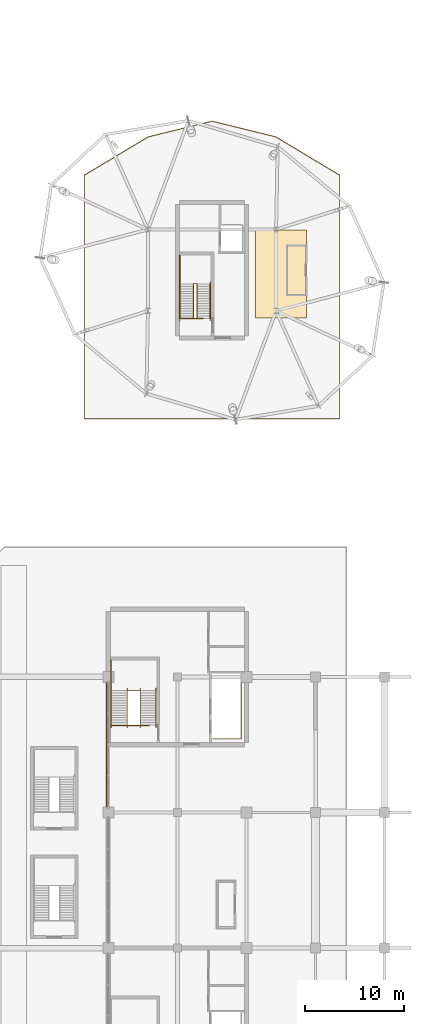
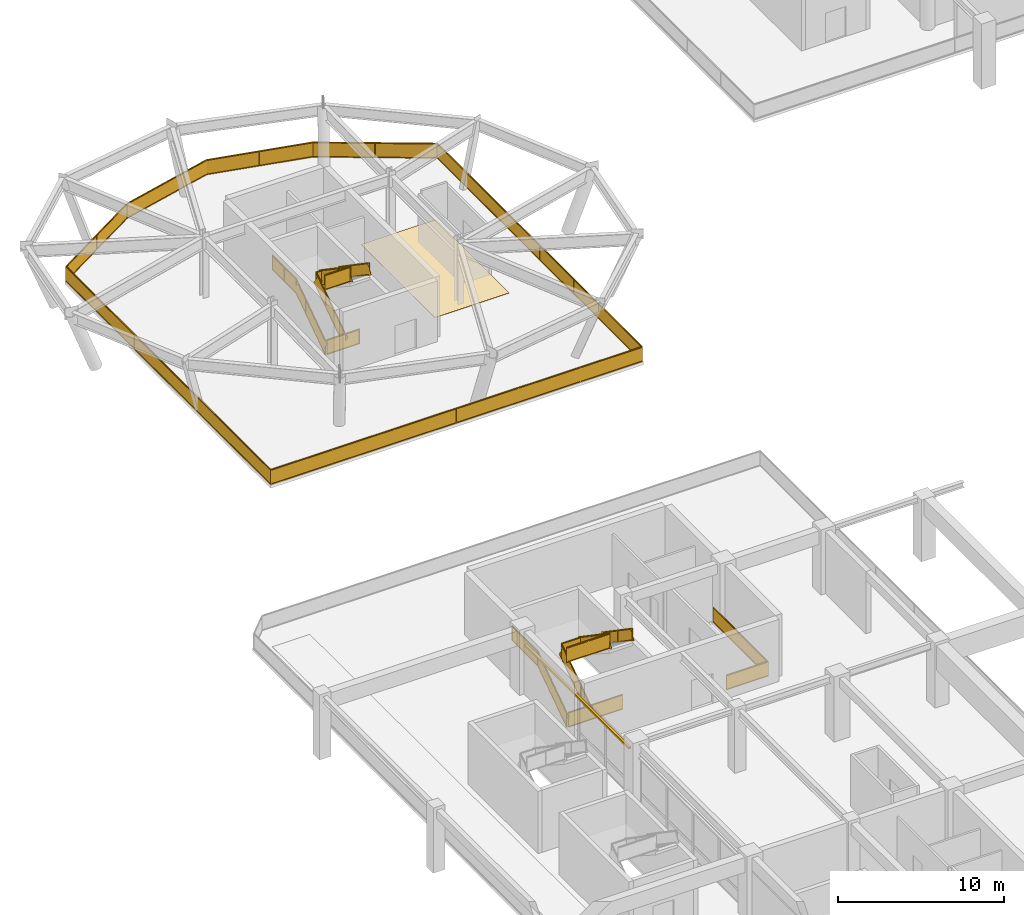
# One storey, part 87 of 91: 10 railings, 1 covering, 1 shading device.
"""IFC4 building model written with IfcOpenShell, lengths in metres."""

from ifc_helpers import new_model, si_unit, direction, frame, origin, origin_2d, place, context, subcontext, project, spatial, polyline, rectangle, outline, extrude, material, layer, layer_set, type_object, element, save


model = new_model("IFC4")

# Units and contexts
model_context = context("Model", 3, precision=1e-05, world=origin(), true_north=direction((0.0, 1.0)))
body_context = subcontext(model_context, "Body", "Model", "MODEL_VIEW")
ifc_project = project(units=[si_unit("LENGTHUNIT", "METRE"), si_unit("AREAUNIT", "SQUARE_METRE"), si_unit("VOLUMEUNIT", "CUBIC_METRE"), si_unit("PLANEANGLEUNIT", "RADIAN"), si_unit("MASSUNIT", "GRAM", prefix="KILO")], contexts=[model_context])

# Site, building, storey
site_placement = place(None, origin())
site = spatial("IfcSite", under=ifc_project, at=site_placement, CompositionType="ELEMENT")
building_placement = place(site_placement, origin())
building = spatial("IfcBuilding", under=site, at=building_placement, Name="Linyun Crest Stadium", CompositionType="ELEMENT")
storey_placement = place(building_placement, frame((0.0, 0.0, 11.39990234375)))
storey = spatial("IfcBuildingStorey", under=building, at=storey_placement, Name="L03", CompositionType="ELEMENT", Elevation=11.39990234375)

# Covering
ifc_material_1 = material(Name="Terrazzo concourse and hospitality floor finish")
ifc_layer_1 = layer(ifc_material_1, 0.02197265625)
ifc_layer_set_1 = layer_set([ifc_layer_1], Name="Terrazzo concourse and hospitality floor finish")
covering_type = type_object("IfcCoveringType", Name="FLR02", PredefinedType="FLOORING", material=ifc_layer_set_1)
covering_placement = place(storey_placement, origin())
element("IfcCovering", 1, at=covering_placement, inside=storey, type_object=covering_type, Name="Terrazzo flooring FLR02 72", PredefinedType="FLOORING", context=body_context, shape_type="SweptSolid", body=[
    extrude(outline(polyline([(-69.10009765625, 79.800048828125), (-63.89990234375, 79.800048828125), (-63.89990234375, 88.699951171875), (-69.10009765625, 88.699951171875), (-69.10009765625, 79.800048828125)])), origin(), (0.0, 0.0, 1.0), 0.022216796875),
])

# Railings
ifc_material_2 = material(Name="Galvanized and powder-coated steel bowl safety barrier", Category="steel")
railing_type_1 = type_object("IfcRailingType", Name="GR02", PredefinedType="GUARDRAIL", material=ifc_material_2)
railing_1_placement = place(storey_placement, frame((-73.419921875, 37.090087890625, 0.0)))
element("IfcRailing", 2, at=railing_1_placement, inside=storey, type_object=railing_type_1, Name="Slab edge balustrade GR02 46", PredefinedType="GUARDRAIL", context=body_context, shape_type="SweptSolid", body=[
    extrude(rectangle(XDim=0.06005859375, YDim=0.06005859375, at=origin_2d()), frame((0.0, 0.0, 1.090087890625), z_axis=(1.0, 0.0, 0.0), x_axis=(0.0, 1.0, 0.0)), (0.0, 0.0, 1.0), 2.8798828125),
    extrude(rectangle(XDim=0.030029296875, YDim=1.0, at=origin_2d()), frame((0.0, 0.0, 0.56005859375), z_axis=(1.0, 0.0, 0.0), x_axis=(0.0, 1.0, 0.0)), (0.0, 0.0, 1.0), 2.8798828125),
    extrude(rectangle(XDim=0.06005859375, YDim=0.06005859375, at=origin_2d()), frame((0.0, 0.0, 0.030029296875), z_axis=(1.0, 0.0, 0.0), x_axis=(0.0, 1.0, 0.0)), (0.0, 0.0, 1.0), 2.8798828125),
    extrude(rectangle(XDim=0.06005859375, YDim=0.06005859375, at=origin_2d()), frame((2.8798828125, 0.0, 1.090087890625), z_axis=(0.0, 1.0, 0.0), x_axis=(-1.0, 0.0, 0.0)), (0.0, 0.0, 1.0), 6.5498046875),
    extrude(rectangle(XDim=0.030029296875, YDim=1.0, at=origin_2d()), frame((2.8798828125, 0.0, 0.56005859375), z_axis=(0.0, 1.0, 0.0), x_axis=(-1.0, 0.0, 0.0)), (0.0, 0.0, 1.0), 6.5498046875),
    extrude(rectangle(XDim=0.06005859375, YDim=0.06005859375, at=origin_2d()), frame((2.8798828125, 0.0, 0.030029296875), z_axis=(0.0, 1.0, 0.0), x_axis=(-1.0, 0.0, 0.0)), (0.0, 0.0, 1.0), 6.5498046875),
    extrude(rectangle(XDim=0.050048828125, YDim=0.050048828125, at=origin_2d()), origin(), (0.0, 0.0, 1.0), 1.1201171875),
    extrude(rectangle(XDim=0.050048828125, YDim=0.050048828125, at=origin_2d()), frame((2.8798828125, 0.0, 0.0)), (0.0, 0.0, 1.0), 1.1201171875),
    extrude(rectangle(XDim=0.050048828125, YDim=0.050048828125, at=origin_2d()), frame((2.8798828125, 3.27490234375, 0.0)), (0.0, 0.0, 1.0), 1.1201171875),
    extrude(rectangle(XDim=0.050048828125, YDim=0.050048828125, at=origin_2d()), frame((2.8798828125, 6.5498046875, 0.0)), (0.0, 0.0, 1.0), 1.1201171875),
])
railing_2_placement = place(storey_placement, frame((-83.635009765625, 38.4599609375, 0.0)))
element("IfcRailing", 3, at=railing_2_placement, inside=storey, type_object=railing_type_1, Name="Slab edge balustrade GR02 48", PredefinedType="GUARDRAIL", context=body_context, shape_type="SweptSolid", body=[
    extrude(rectangle(XDim=0.06005859375, YDim=0.06005859375, at=origin_2d()), frame((0.0, 0.0, 1.090087890625), z_axis=(1.0, 0.0, 0.0), x_axis=(0.0, 1.0, 0.0)), (0.0, 0.0, 1.0), 3.735107421875),
    extrude(rectangle(XDim=0.030029296875, YDim=1.0, at=origin_2d()), frame((0.0, 0.0, 0.56005859375), z_axis=(1.0, 0.0, 0.0), x_axis=(0.0, 1.0, 0.0)), (0.0, 0.0, 1.0), 3.735107421875),
    extrude(rectangle(XDim=0.06005859375, YDim=0.06005859375, at=origin_2d()), frame((0.0, 0.0, 0.030029296875), z_axis=(1.0, 0.0, 0.0), x_axis=(0.0, 1.0, 0.0)), (0.0, 0.0, 1.0), 3.735107421875),
    extrude(rectangle(XDim=0.050048828125, YDim=0.050048828125, at=origin_2d()), origin(), (0.0, 0.0, 1.0), 1.1201171875),
    extrude(rectangle(XDim=0.050048828125, YDim=0.050048828125, at=origin_2d()), frame((3.735107421875, 0.0, 0.0)), (0.0, 0.0, 1.0), 1.1201171875),
])
railing_3_placement = place(storey_placement, frame((-86.43994140625, 69.56005859375, 0.0)))
element("IfcRailing", 4, at=railing_3_placement, inside=storey, type_object=railing_type_1, Name="Slab edge balustrade GR02 283", PredefinedType="GUARDRAIL", context=body_context, shape_type="SweptSolid", body=[
    extrude(rectangle(XDim=0.06005859375, YDim=0.06005859375, at=origin_2d()), frame((0.0, 0.0, 1.090087890625), z_axis=(0.0, 1.0, 0.0), x_axis=(-1.0, 0.0, 0.0)), (0.0, 0.0, 1.0), 24.7060546875),
    extrude(rectangle(XDim=0.030029296875, YDim=1.0, at=origin_2d()), frame((0.0, 0.0, 0.56005859375), z_axis=(0.0, 1.0, 0.0), x_axis=(-1.0, 0.0, 0.0)), (0.0, 0.0, 1.0), 24.7060546875),
    extrude(rectangle(XDim=0.06005859375, YDim=0.06005859375, at=origin_2d()), frame((0.0, 0.0, 0.030029296875), z_axis=(0.0, 1.0, 0.0), x_axis=(-1.0, 0.0, 0.0)), (0.0, 0.0, 1.0), 24.7060546875),
    extrude(rectangle(XDim=0.06005859375, YDim=0.06005859375, at=origin_2d()), frame((0.0, 24.7060546875, 1.090087890625), z_axis=(0.857481493024, 0.514514809429, 0.0), x_axis=(-0.514514809429, 0.857481493024, 0.0)), (0.0, 0.0, 1.0), 7.537109375),
    extrude(rectangle(XDim=0.030029296875, YDim=1.0, at=origin_2d()), frame((0.0, 24.7060546875, 0.56005859375), z_axis=(0.857481493024, 0.514514809429, 0.0), x_axis=(-0.514514809429, 0.857481493024, 0.0)), (0.0, 0.0, 1.0), 7.537109375),
    extrude(rectangle(XDim=0.06005859375, YDim=0.06005859375, at=origin_2d()), frame((0.0, 24.7060546875, 0.030029296875), z_axis=(0.857481493024, 0.514514809429, 0.0), x_axis=(-0.514514809429, 0.857481493024, 0.0)), (0.0, 0.0, 1.0), 7.537109375),
    extrude(rectangle(XDim=0.06005859375, YDim=0.06005859375, at=origin_2d()), frame((6.462890625, 28.583984375, 1.090087890625), z_axis=(0.971027293085, 0.238968608992, 0.0), x_axis=(-0.238968608992, 0.971027293085, 0.0)), (0.0, 0.0, 1.0), 6.67041015625),
    extrude(rectangle(XDim=0.030029296875, YDim=1.0, at=origin_2d()), frame((6.462890625, 28.583984375, 0.56005859375), z_axis=(0.971027293085, 0.238968608992, 0.0), x_axis=(-0.238968608992, 0.971027293085, 0.0)), (0.0, 0.0, 1.0), 6.67041015625),
    extrude(rectangle(XDim=0.06005859375, YDim=0.06005859375, at=origin_2d()), frame((6.462890625, 28.583984375, 0.030029296875), z_axis=(0.971027293085, 0.238968608992, 0.0), x_axis=(-0.238968608992, 0.971027293085, 0.0)), (0.0, 0.0, 1.0), 6.67041015625),
    extrude(rectangle(XDim=0.06005859375, YDim=0.06005859375, at=origin_2d()), frame((12.93994140625, 30.177978515625, 1.090087890625), z_axis=(0.971027293085, -0.238968608992, 0.0), x_axis=(0.238968608992, 0.971027293085, 0.0)), (0.0, 0.0, 1.0), 6.67041015625),
    extrude(rectangle(XDim=0.030029296875, YDim=1.0, at=origin_2d()), frame((12.93994140625, 30.177978515625, 0.56005859375), z_axis=(0.971027293085, -0.238968608992, 0.0), x_axis=(0.238968608992, 0.971027293085, 0.0)), (0.0, 0.0, 1.0), 6.67041015625),
    extrude(rectangle(XDim=0.06005859375, YDim=0.06005859375, at=origin_2d()), frame((12.93994140625, 30.177978515625, 0.030029296875), z_axis=(0.971027293085, -0.238968608992, 0.0), x_axis=(0.238968608992, 0.971027293085, 0.0)), (0.0, 0.0, 1.0), 6.67041015625),
    extrude(rectangle(XDim=0.06005859375, YDim=0.06005859375, at=origin_2d()), frame((19.4169921875, 28.583984375, 1.090087890625), z_axis=(0.857481493024, -0.514514809429, 0.0), x_axis=(0.514514809429, 0.857481493024, 0.0)), (0.0, 0.0, 1.0), 7.537109375),
    extrude(rectangle(XDim=0.030029296875, YDim=1.0, at=origin_2d()), frame((19.4169921875, 28.583984375, 0.56005859375), z_axis=(0.857481493024, -0.514514809429, 0.0), x_axis=(0.514514809429, 0.857481493024, 0.0)), (0.0, 0.0, 1.0), 7.537109375),
    extrude(rectangle(XDim=0.06005859375, YDim=0.06005859375, at=origin_2d()), frame((19.4169921875, 28.583984375, 0.030029296875), z_axis=(0.857481493024, -0.514514809429, 0.0), x_axis=(0.514514809429, 0.857481493024, 0.0)), (0.0, 0.0, 1.0), 7.537109375),
    extrude(rectangle(XDim=0.06005859375, YDim=0.06005859375, at=origin_2d()), frame((25.8798828125, 24.7060546875, 1.090087890625), z_axis=(0.0, -1.0, 0.0), x_axis=(1.0, 0.0, 0.0)), (0.0, 0.0, 1.0), 24.7060546875),
    extrude(rectangle(XDim=0.030029296875, YDim=1.0, at=origin_2d()), frame((25.8798828125, 24.7060546875, 0.56005859375), z_axis=(0.0, -1.0, 0.0), x_axis=(1.0, 0.0, 0.0)), (0.0, 0.0, 1.0), 24.7060546875),
    extrude(rectangle(XDim=0.06005859375, YDim=0.06005859375, at=origin_2d()), frame((25.8798828125, 24.7060546875, 0.030029296875), z_axis=(0.0, -1.0, 0.0), x_axis=(1.0, 0.0, 0.0)), (0.0, 0.0, 1.0), 24.7060546875),
    extrude(rectangle(XDim=0.06005859375, YDim=0.06005859375, at=origin_2d()), frame((25.8798828125, 0.0, 1.090087890625), z_axis=(-1.0, 0.0, 0.0), x_axis=(0.0, -1.0, 0.0)), (0.0, 0.0, 1.0), 25.8798828125),
    extrude(rectangle(XDim=0.030029296875, YDim=1.0, at=origin_2d()), frame((25.8798828125, 0.0, 0.56005859375), z_axis=(-1.0, 0.0, 0.0), x_axis=(0.0, -1.0, 0.0)), (0.0, 0.0, 1.0), 25.8798828125),
    extrude(rectangle(XDim=0.06005859375, YDim=0.06005859375, at=origin_2d()), frame((25.8798828125, 0.0, 0.030029296875), z_axis=(-1.0, 0.0, 0.0), x_axis=(0.0, -1.0, 0.0)), (0.0, 0.0, 1.0), 25.8798828125),
    extrude(rectangle(XDim=0.050048828125, YDim=0.050048828125, at=origin_2d()), origin(), (0.0, 0.0, 1.0), 1.1201171875),
    extrude(rectangle(XDim=0.050048828125, YDim=0.050048828125, at=origin_2d()), frame((0.0, 4.11767578125, 0.0)), (0.0, 0.0, 1.0), 1.1201171875),
    extrude(rectangle(XDim=0.050048828125, YDim=0.050048828125, at=origin_2d()), frame((0.0, 8.2353515625, 0.0)), (0.0, 0.0, 1.0), 1.1201171875),
    extrude(rectangle(XDim=0.050048828125, YDim=0.050048828125, at=origin_2d()), frame((0.0, 12.35302734375, 0.0)), (0.0, 0.0, 1.0), 1.1201171875),
    extrude(rectangle(XDim=0.050048828125, YDim=0.050048828125, at=origin_2d()), frame((0.0, 16.470703125, 0.0)), (0.0, 0.0, 1.0), 1.1201171875),
    extrude(rectangle(XDim=0.050048828125, YDim=0.050048828125, at=origin_2d()), frame((0.0, 20.58837890625, 0.0)), (0.0, 0.0, 1.0), 1.1201171875),
    extrude(rectangle(XDim=0.050048828125, YDim=0.050048828125, at=origin_2d()), frame((0.0, 24.7060546875, 0.0)), (0.0, 0.0, 1.0), 1.1201171875),
    extrude(rectangle(XDim=0.050048828125, YDim=0.050048828125, at=origin_2d()), frame((3.2314453125, 26.64501953125, 0.0)), (0.0, 0.0, 1.0), 1.1201171875),
    extrude(rectangle(XDim=0.050048828125, YDim=0.050048828125, at=origin_2d()), frame((6.462890625, 28.583984375, 0.0)), (0.0, 0.0, 1.0), 1.1201171875),
    extrude(rectangle(XDim=0.050048828125, YDim=0.050048828125, at=origin_2d()), frame((9.701416015625, 29.380859375, 0.0)), (0.0, 0.0, 1.0), 1.1201171875),
    extrude(rectangle(XDim=0.050048828125, YDim=0.050048828125, at=origin_2d()), frame((12.93994140625, 30.177978515625, 0.0)), (0.0, 0.0, 1.0), 1.1201171875),
    extrude(rectangle(XDim=0.050048828125, YDim=0.050048828125, at=origin_2d()), frame((16.178466796875, 29.380859375, 0.0)), (0.0, 0.0, 1.0), 1.1201171875),
    extrude(rectangle(XDim=0.050048828125, YDim=0.050048828125, at=origin_2d()), frame((19.4169921875, 28.583984375, 0.0)), (0.0, 0.0, 1.0), 1.1201171875),
    extrude(rectangle(XDim=0.050048828125, YDim=0.050048828125, at=origin_2d()), frame((22.6484375, 26.64501953125, 0.0)), (0.0, 0.0, 1.0), 1.1201171875),
    extrude(rectangle(XDim=0.050048828125, YDim=0.050048828125, at=origin_2d()), frame((25.8798828125, 24.7060546875, 0.0)), (0.0, 0.0, 1.0), 1.1201171875),
    extrude(rectangle(XDim=0.050048828125, YDim=0.050048828125, at=origin_2d()), frame((25.8798828125, 20.58837890625, 0.0)), (0.0, 0.0, 1.0), 1.1201171875),
    extrude(rectangle(XDim=0.050048828125, YDim=0.050048828125, at=origin_2d()), frame((25.8798828125, 16.470703125, 0.0)), (0.0, 0.0, 1.0), 1.1201171875),
    extrude(rectangle(XDim=0.050048828125, YDim=0.050048828125, at=origin_2d()), frame((25.8798828125, 12.35302734375, 0.0)), (0.0, 0.0, 1.0), 1.1201171875),
    extrude(rectangle(XDim=0.050048828125, YDim=0.050048828125, at=origin_2d()), frame((25.8798828125, 8.2353515625, 0.0)), (0.0, 0.0, 1.0), 1.1201171875),
    extrude(rectangle(XDim=0.050048828125, YDim=0.050048828125, at=origin_2d()), frame((25.8798828125, 4.11767578125, 0.0)), (0.0, 0.0, 1.0), 1.1201171875),
    extrude(rectangle(XDim=0.050048828125, YDim=0.050048828125, at=origin_2d()), frame((25.8798828125, 0.0, 0.0)), (0.0, 0.0, 1.0), 1.1201171875),
    extrude(rectangle(XDim=0.050048828125, YDim=0.050048828125, at=origin_2d()), frame((21.566650390625, 0.0, 0.0)), (0.0, 0.0, 1.0), 1.1201171875),
    extrude(rectangle(XDim=0.050048828125, YDim=0.050048828125, at=origin_2d()), frame((17.253173828125, 0.0, 0.0)), (0.0, 0.0, 1.0), 1.1201171875),
    extrude(rectangle(XDim=0.050048828125, YDim=0.050048828125, at=origin_2d()), frame((12.93994140625, 0.0, 0.0)), (0.0, 0.0, 1.0), 1.1201171875),
    extrude(rectangle(XDim=0.050048828125, YDim=0.050048828125, at=origin_2d()), frame((8.626708984375, 0.0, 0.0)), (0.0, 0.0, 1.0), 1.1201171875),
    extrude(rectangle(XDim=0.050048828125, YDim=0.050048828125, at=origin_2d()), frame((4.313232421875, 0.0, 0.0)), (0.0, 0.0, 1.0), 1.1201171875),
])
railing_4_placement = place(storey_placement, frame((-76.659912109375, 79.7099609375, 0.0)))
element("IfcRailing", 5, at=railing_4_placement, inside=storey, type_object=railing_type_1, Name="Slab edge balustrade GR02 285", PredefinedType="GUARDRAIL", context=body_context, shape_type="SweptSolid", body=[
    extrude(rectangle(XDim=0.06005859375, YDim=0.06005859375, at=origin_2d()), frame((0.0, 0.0, 1.090087890625), z_axis=(1.0, 0.0, 0.0), x_axis=(0.0, 1.0, 0.0)), (0.0, 0.0, 1.0), 2.260009765625),
    extrude(rectangle(XDim=0.030029296875, YDim=1.0, at=origin_2d()), frame((0.0, 0.0, 0.56005859375), z_axis=(1.0, 0.0, 0.0), x_axis=(0.0, 1.0, 0.0)), (0.0, 0.0, 1.0), 2.260009765625),
    extrude(rectangle(XDim=0.06005859375, YDim=0.06005859375, at=origin_2d()), frame((0.0, 0.0, 0.030029296875), z_axis=(1.0, 0.0, 0.0), x_axis=(0.0, 1.0, 0.0)), (0.0, 0.0, 1.0), 2.260009765625),
    extrude(rectangle(XDim=0.050048828125, YDim=0.050048828125, at=origin_2d()), origin(), (0.0, 0.0, 1.0), 1.1201171875),
    extrude(rectangle(XDim=0.050048828125, YDim=0.050048828125, at=origin_2d()), frame((2.260009765625, 0.0, 0.0)), (0.0, 0.0, 1.0), 1.1201171875),
])
ifc_material_3 = material(Name="Painted steel stairwell safety guard", Category="steel")
railing_type_2 = type_object("IfcRailingType", Name="GR03", PredefinedType="GUARDRAIL", material=ifc_material_3)
railing_5_placement = place(storey_placement, frame((-83.7451171875, 38.489990234375, 0.0)))
element("IfcRailing", 6, at=railing_5_placement, inside=storey, type_object=railing_type_2, Name="STR-03-L03 outer guard", PredefinedType="GUARDRAIL", context=body_context, shape_type="SweptSolid", body=[
    extrude(rectangle(XDim=0.06005859375, YDim=0.06005859375, at=origin_2d()), frame((0.0, 0.0, 1.090087890625), z_axis=(0.0, 0.824712752785, 0.565551832633), x_axis=(-1.0, 0.0, 0.0)), (0.0, 0.0, 1.0), 4.243896484375),
    extrude(rectangle(XDim=0.030029296875, YDim=1.0, at=origin_2d()), frame((0.0, 0.0, 0.56005859375), z_axis=(0.0, 0.824712752785, 0.565551832633), x_axis=(-1.0, 0.0, 0.0)), (0.0, 0.0, 1.0), 4.243896484375),
    extrude(rectangle(XDim=0.06005859375, YDim=0.06005859375, at=origin_2d()), frame((0.0, 0.0, 0.030029296875), z_axis=(0.0, 0.824712752785, 0.565551832633), x_axis=(-1.0, 0.0, 0.0)), (0.0, 0.0, 1.0), 4.243896484375),
    extrude(rectangle(XDim=0.06005859375, YDim=0.06005859375, at=origin_2d()), frame((0.0, 3.5, 3.490234375), z_axis=(0.0, 1.0, 0.0), x_axis=(-1.0, 0.0, 0.0)), (0.0, 0.0, 1.0), 3.080078125),
    extrude(rectangle(XDim=0.030029296875, YDim=1.0, at=origin_2d()), frame((0.0, 3.5, 2.960205078125), z_axis=(0.0, 1.0, 0.0), x_axis=(-1.0, 0.0, 0.0)), (0.0, 0.0, 1.0), 3.080078125),
    extrude(rectangle(XDim=0.06005859375, YDim=0.06005859375, at=origin_2d()), frame((0.0, 3.5, 2.43017578125), z_axis=(0.0, 1.0, 0.0), x_axis=(-1.0, 0.0, 0.0)), (0.0, 0.0, 1.0), 3.080078125),
    extrude(rectangle(XDim=0.050048828125, YDim=0.050048828125, at=origin_2d()), origin(), (0.0, 0.0, 1.0), 1.1201171875),
    extrude(rectangle(XDim=0.050048828125, YDim=0.050048828125, at=origin_2d()), frame((0.0, 1.166748046875, 0.800048828125)), (0.0, 0.0, 1.0), 1.1201171875),
    extrude(rectangle(XDim=0.050048828125, YDim=0.050048828125, at=origin_2d()), frame((0.0, 2.333251953125, 1.60009765625)), (0.0, 0.0, 1.0), 1.1201171875),
    extrude(rectangle(XDim=0.050048828125, YDim=0.050048828125, at=origin_2d()), frame((0.0, 3.5, 2.400146484375)), (0.0, 0.0, 1.0), 1.1201171875),
    extrude(rectangle(XDim=0.050048828125, YDim=0.050048828125, at=origin_2d()), frame((0.0, 5.0400390625, 2.400146484375)), (0.0, 0.0, 1.0), 1.1201171875),
    extrude(rectangle(XDim=0.050048828125, YDim=0.050048828125, at=origin_2d()), frame((0.0, 6.580078125, 2.400146484375)), (0.0, 0.0, 1.0), 1.1201171875),
])
railing_6_placement = place(storey_placement, frame((-82.10498046875, 38.469970703125, 0.0)))
element("IfcRailing", 7, at=railing_6_placement, inside=storey, type_object=railing_type_2, Name="STR-03-L03 inner well guard", PredefinedType="GUARDRAIL", context=body_context, shape_type="SweptSolid", body=[
    extrude(rectangle(XDim=0.06005859375, YDim=0.06005859375, at=origin_2d()), frame((0.0, 0.0, 1.090087890625), z_axis=(0.0, 0.826212794201, 0.563358162005), x_axis=(-1.0, 0.0, 0.0)), (0.0, 0.0, 1.0), 4.260498046875),
    extrude(rectangle(XDim=0.030029296875, YDim=1.0, at=origin_2d()), frame((0.0, 0.0, 0.56005859375), z_axis=(0.0, 0.826212794201, 0.563358162005), x_axis=(-1.0, 0.0, 0.0)), (0.0, 0.0, 1.0), 4.260498046875),
    extrude(rectangle(XDim=0.06005859375, YDim=0.06005859375, at=origin_2d()), frame((0.0, 0.0, 0.030029296875), z_axis=(0.0, 0.826212794201, 0.563358162005), x_axis=(-1.0, 0.0, 0.0)), (0.0, 0.0, 1.0), 4.260498046875),
    extrude(rectangle(XDim=0.06005859375, YDim=0.06005859375, at=origin_2d()), frame((0.0, 3.52001953125, 3.490234375), z_axis=(1.0, 0.0, 0.0), x_axis=(0.0, 1.0, 0.0)), (0.0, 0.0, 1.0), 1.3349609375),
    extrude(rectangle(XDim=0.030029296875, YDim=1.0, at=origin_2d()), frame((0.0, 3.52001953125, 2.960205078125), z_axis=(1.0, 0.0, 0.0), x_axis=(0.0, 1.0, 0.0)), (0.0, 0.0, 1.0), 1.3349609375),
    extrude(rectangle(XDim=0.06005859375, YDim=0.06005859375, at=origin_2d()), frame((0.0, 3.52001953125, 2.43017578125), z_axis=(1.0, 0.0, 0.0), x_axis=(0.0, 1.0, 0.0)), (0.0, 0.0, 1.0), 1.3349609375),
    extrude(rectangle(XDim=0.06005859375, YDim=0.06005859375, at=origin_2d()), frame((1.3349609375, 3.52001953125, 3.490234375), z_axis=(0.0, -0.826239466617, 0.563319042644), x_axis=(1.0, 0.0, 0.0)), (0.0, 0.0, 1.0), 4.26025390625),
    extrude(rectangle(XDim=0.030029296875, YDim=1.0, at=origin_2d()), frame((1.3349609375, 3.52001953125, 2.960205078125), z_axis=(0.0, -0.826239466617, 0.563319042644), x_axis=(1.0, 0.0, 0.0)), (0.0, 0.0, 1.0), 4.26025390625),
    extrude(rectangle(XDim=0.06005859375, YDim=0.06005859375, at=origin_2d()), frame((1.3349609375, 3.52001953125, 2.43017578125), z_axis=(0.0, -0.826239466617, 0.563319042644), x_axis=(1.0, 0.0, 0.0)), (0.0, 0.0, 1.0), 4.26025390625),
    extrude(rectangle(XDim=0.06005859375, YDim=0.06005859375, at=origin_2d()), frame((1.3349609375, 0.0, 5.89013671875), z_axis=(-1.0, 0.0, 0.0), x_axis=(0.0, -1.0, 0.0)), (0.0, 0.0, 1.0), 2.98486328125),
    extrude(rectangle(XDim=0.030029296875, YDim=1.0, at=origin_2d()), frame((1.3349609375, 0.0, 5.360107421875), z_axis=(-1.0, 0.0, 0.0), x_axis=(0.0, -1.0, 0.0)), (0.0, 0.0, 1.0), 2.98486328125),
    extrude(rectangle(XDim=0.06005859375, YDim=0.06005859375, at=origin_2d()), frame((1.3349609375, 0.0, 4.830078125), z_axis=(-1.0, 0.0, 0.0), x_axis=(0.0, -1.0, 0.0)), (0.0, 0.0, 1.0), 2.98486328125),
    extrude(rectangle(XDim=0.050048828125, YDim=0.050048828125, at=origin_2d()), origin(), (0.0, 0.0, 1.0), 1.1201171875),
    extrude(rectangle(XDim=0.050048828125, YDim=0.050048828125, at=origin_2d()), frame((0.0, 1.17333984375, 0.800048828125)), (0.0, 0.0, 1.0), 1.1201171875),
    extrude(rectangle(XDim=0.050048828125, YDim=0.050048828125, at=origin_2d()), frame((0.0, 2.3466796875, 1.60009765625)), (0.0, 0.0, 1.0), 1.1201171875),
    extrude(rectangle(XDim=0.050048828125, YDim=0.050048828125, at=origin_2d()), frame((0.0, 3.52001953125, 2.400146484375)), (0.0, 0.0, 1.0), 1.1201171875),
    extrude(rectangle(XDim=0.050048828125, YDim=0.050048828125, at=origin_2d()), frame((1.3349609375, 3.52001953125, 2.400146484375)), (0.0, 0.0, 1.0), 1.1201171875),
    extrude(rectangle(XDim=0.050048828125, YDim=0.050048828125, at=origin_2d()), frame((1.3349609375, 2.3466796875, 3.2001953125)), (0.0, 0.0, 1.0), 1.1201171875),
    extrude(rectangle(XDim=0.050048828125, YDim=0.050048828125, at=origin_2d()), frame((1.3349609375, 1.17333984375, 4.0)), (0.0, 0.0, 1.0), 1.1201171875),
    extrude(rectangle(XDim=0.050048828125, YDim=0.050048828125, at=origin_2d()), frame((1.3349609375, 0.0, 4.800048828125)), (0.0, 0.0, 1.0), 1.1201171875),
    extrude(rectangle(XDim=0.050048828125, YDim=0.050048828125, at=origin_2d()), frame((-0.157470703125, 0.0, 4.800048828125)), (0.0, 0.0, 1.0), 1.1201171875),
    extrude(rectangle(XDim=0.050048828125, YDim=0.050048828125, at=origin_2d()), frame((-1.64990234375, 0.0, 4.800048828125)), (0.0, 0.0, 1.0), 1.1201171875),
])
railing_7_placement = place(storey_placement, frame((-76.77001953125, 79.739990234375, 0.0)))
element("IfcRailing", 8, at=railing_7_placement, inside=storey, type_object=railing_type_2, Name="STR-11-L03 outer guard", PredefinedType="GUARDRAIL", context=body_context, shape_type="SweptSolid", body=[
    extrude(rectangle(XDim=0.06005859375, YDim=0.06005859375, at=origin_2d()), frame((0.0, 0.0, 1.090087890625), z_axis=(0.0, 0.824712752785, 0.565551832633), x_axis=(-1.0, 0.0, 0.0)), (0.0, 0.0, 1.0), 4.243896484375),
    extrude(rectangle(XDim=0.030029296875, YDim=1.0, at=origin_2d()), frame((0.0, 0.0, 0.56005859375), z_axis=(0.0, 0.824712752785, 0.565551832633), x_axis=(-1.0, 0.0, 0.0)), (0.0, 0.0, 1.0), 4.243896484375),
    extrude(rectangle(XDim=0.06005859375, YDim=0.06005859375, at=origin_2d()), frame((0.0, 0.0, 0.030029296875), z_axis=(0.0, 0.824712752785, 0.565551832633), x_axis=(-1.0, 0.0, 0.0)), (0.0, 0.0, 1.0), 4.243896484375),
    extrude(rectangle(XDim=0.06005859375, YDim=0.06005859375, at=origin_2d()), frame((0.0, 3.5, 3.490234375), z_axis=(0.0, 1.0, 0.0), x_axis=(-1.0, 0.0, 0.0)), (0.0, 0.0, 1.0), 2.880126953125),
    extrude(rectangle(XDim=0.030029296875, YDim=1.0, at=origin_2d()), frame((0.0, 3.5, 2.960205078125), z_axis=(0.0, 1.0, 0.0), x_axis=(-1.0, 0.0, 0.0)), (0.0, 0.0, 1.0), 2.880126953125),
    extrude(rectangle(XDim=0.06005859375, YDim=0.06005859375, at=origin_2d()), frame((0.0, 3.5, 2.43017578125), z_axis=(0.0, 1.0, 0.0), x_axis=(-1.0, 0.0, 0.0)), (0.0, 0.0, 1.0), 2.880126953125),
    extrude(rectangle(XDim=0.050048828125, YDim=0.050048828125, at=origin_2d()), origin(), (0.0, 0.0, 1.0), 1.1201171875),
    extrude(rectangle(XDim=0.050048828125, YDim=0.050048828125, at=origin_2d()), frame((0.0, 1.166748046875, 0.800048828125)), (0.0, 0.0, 1.0), 1.1201171875),
    extrude(rectangle(XDim=0.050048828125, YDim=0.050048828125, at=origin_2d()), frame((0.0, 2.333251953125, 1.60009765625)), (0.0, 0.0, 1.0), 1.1201171875),
    extrude(rectangle(XDim=0.050048828125, YDim=0.050048828125, at=origin_2d()), frame((0.0, 3.5, 2.400146484375)), (0.0, 0.0, 1.0), 1.1201171875),
    extrude(rectangle(XDim=0.050048828125, YDim=0.050048828125, at=origin_2d()), frame((0.0, 4.93994140625, 2.400146484375)), (0.0, 0.0, 1.0), 1.1201171875),
    extrude(rectangle(XDim=0.050048828125, YDim=0.050048828125, at=origin_2d()), frame((0.0, 6.380126953125, 2.400146484375)), (0.0, 0.0, 1.0), 1.1201171875),
])
railing_8_placement = place(storey_placement, frame((-75.3798828125, 79.719970703125, 0.0)))
element("IfcRailing", 9, at=railing_8_placement, inside=storey, type_object=railing_type_2, Name="STR-11-L03 inner well guard", PredefinedType="GUARDRAIL", context=body_context, shape_type="SweptSolid", body=[
    extrude(rectangle(XDim=0.06005859375, YDim=0.06005859375, at=origin_2d()), frame((0.0, 0.0, 1.090087890625), z_axis=(0.0, 0.826212794201, 0.563358162005), x_axis=(-1.0, 0.0, 0.0)), (0.0, 0.0, 1.0), 4.260498046875),
    extrude(rectangle(XDim=0.030029296875, YDim=1.0, at=origin_2d()), frame((0.0, 0.0, 0.56005859375), z_axis=(0.0, 0.826212794201, 0.563358162005), x_axis=(-1.0, 0.0, 0.0)), (0.0, 0.0, 1.0), 4.260498046875),
    extrude(rectangle(XDim=0.06005859375, YDim=0.06005859375, at=origin_2d()), frame((0.0, 0.0, 0.030029296875), z_axis=(0.0, 0.826212794201, 0.563358162005), x_axis=(-1.0, 0.0, 0.0)), (0.0, 0.0, 1.0), 4.260498046875),
    extrude(rectangle(XDim=0.06005859375, YDim=0.06005859375, at=origin_2d()), frame((0.0, 3.52001953125, 3.490234375), z_axis=(1.0, 0.0, 0.0), x_axis=(0.0, 1.0, 0.0)), (0.0, 0.0, 1.0), 0.35986328125),
    extrude(rectangle(XDim=0.030029296875, YDim=1.0, at=origin_2d()), frame((0.0, 3.52001953125, 2.960205078125), z_axis=(1.0, 0.0, 0.0), x_axis=(0.0, 1.0, 0.0)), (0.0, 0.0, 1.0), 0.35986328125),
    extrude(rectangle(XDim=0.06005859375, YDim=0.06005859375, at=origin_2d()), frame((0.0, 3.52001953125, 2.43017578125), z_axis=(1.0, 0.0, 0.0), x_axis=(0.0, 1.0, 0.0)), (0.0, 0.0, 1.0), 0.35986328125),
    extrude(rectangle(XDim=0.06005859375, YDim=0.06005859375, at=origin_2d()), frame((0.35986328125, 3.52001953125, 3.490234375), z_axis=(0.0, -0.826239466617, 0.563319042644), x_axis=(1.0, 0.0, 0.0)), (0.0, 0.0, 1.0), 4.26025390625),
    extrude(rectangle(XDim=0.030029296875, YDim=1.0, at=origin_2d()), frame((0.35986328125, 3.52001953125, 2.960205078125), z_axis=(0.0, -0.826239466617, 0.563319042644), x_axis=(1.0, 0.0, 0.0)), (0.0, 0.0, 1.0), 4.26025390625),
    extrude(rectangle(XDim=0.06005859375, YDim=0.06005859375, at=origin_2d()), frame((0.35986328125, 3.52001953125, 2.43017578125), z_axis=(0.0, -0.826239466617, 0.563319042644), x_axis=(1.0, 0.0, 0.0)), (0.0, 0.0, 1.0), 4.26025390625),
    extrude(rectangle(XDim=0.06005859375, YDim=0.06005859375, at=origin_2d()), frame((0.35986328125, 0.0, 5.89013671875), z_axis=(-1.0, 0.0, 0.0), x_axis=(0.0, -1.0, 0.0)), (0.0, 0.0, 1.0), 1.760009765625),
    extrude(rectangle(XDim=0.030029296875, YDim=1.0, at=origin_2d()), frame((0.35986328125, 0.0, 5.360107421875), z_axis=(-1.0, 0.0, 0.0), x_axis=(0.0, -1.0, 0.0)), (0.0, 0.0, 1.0), 1.760009765625),
    extrude(rectangle(XDim=0.06005859375, YDim=0.06005859375, at=origin_2d()), frame((0.35986328125, 0.0, 4.830078125), z_axis=(-1.0, 0.0, 0.0), x_axis=(0.0, -1.0, 0.0)), (0.0, 0.0, 1.0), 1.760009765625),
    extrude(rectangle(XDim=0.050048828125, YDim=0.050048828125, at=origin_2d()), origin(), (0.0, 0.0, 1.0), 1.1201171875),
    extrude(rectangle(XDim=0.050048828125, YDim=0.050048828125, at=origin_2d()), frame((0.0, 1.17333984375, 0.800048828125)), (0.0, 0.0, 1.0), 1.1201171875),
    extrude(rectangle(XDim=0.050048828125, YDim=0.050048828125, at=origin_2d()), frame((0.0, 2.3466796875, 1.60009765625)), (0.0, 0.0, 1.0), 1.1201171875),
    extrude(rectangle(XDim=0.050048828125, YDim=0.050048828125, at=origin_2d()), frame((0.0, 3.52001953125, 2.400146484375)), (0.0, 0.0, 1.0), 1.1201171875),
    extrude(rectangle(XDim=0.050048828125, YDim=0.050048828125, at=origin_2d()), frame((0.35986328125, 3.52001953125, 2.400146484375)), (0.0, 0.0, 1.0), 1.1201171875),
    extrude(rectangle(XDim=0.050048828125, YDim=0.050048828125, at=origin_2d()), frame((0.35986328125, 2.3466796875, 3.2001953125)), (0.0, 0.0, 1.0), 1.1201171875),
    extrude(rectangle(XDim=0.050048828125, YDim=0.050048828125, at=origin_2d()), frame((0.35986328125, 1.17333984375, 4.0)), (0.0, 0.0, 1.0), 1.1201171875),
    extrude(rectangle(XDim=0.050048828125, YDim=0.050048828125, at=origin_2d()), frame((0.35986328125, 0.0, 4.800048828125)), (0.0, 0.0, 1.0), 1.1201171875),
    extrude(rectangle(XDim=0.050048828125, YDim=0.050048828125, at=origin_2d()), frame((-1.400146484375, 0.0, 4.800048828125)), (0.0, 0.0, 1.0), 1.1201171875),
])
ifc_material_4 = material(Name="Brushed stainless steel tubular handrail", Category="steel")
railing_type_3 = type_object("IfcRailingType", Name="HR01", PredefinedType="HANDRAIL", material=ifc_material_4)
for number, where, name in (
    (10, (-79.179931640625, 41.989990234375, 2.400146484375), "STR-03-L03 handrail"),
    (11, (-73.679931640625, 83.239990234375, 2.400146484375), "STR-11-L03 handrail"),
):
    element("IfcRailing", number, at=place(storey_placement, frame(where)), inside=storey, type_object=railing_type_3, Name=name, PredefinedType="HANDRAIL", context=body_context, shape_type="SweptSolid", body=[
        extrude(rectangle(XDim=0.06005859375, YDim=0.06005859375, at=origin_2d()), frame((0.0, 0.0, 0.889892578125), z_axis=(0.0, -0.824739584531, 0.5655127034), x_axis=(1.0, 0.0, 0.0)), (0.0, 0.0, 1.0), 4.24365234375),
        extrude(rectangle(XDim=0.030029296875, YDim=0.7998046875, at=origin_2d()), frame((0.0, 0.0, 0.4599609375), z_axis=(0.0, -0.824739584531, 0.5655127034), x_axis=(1.0, 0.0, 0.0)), (0.0, 0.0, 1.0), 4.24365234375),
        extrude(rectangle(XDim=0.06005859375, YDim=0.06005859375, at=origin_2d()), frame((0.0, 0.0, 0.030029296875), z_axis=(0.0, -0.824739584531, 0.5655127034), x_axis=(1.0, 0.0, 0.0)), (0.0, 0.0, 1.0), 4.24365234375),
        extrude(rectangle(XDim=0.050048828125, YDim=0.050048828125, at=origin_2d()), origin(), (0.0, 0.0, 1.0), 0.919921875),
        extrude(rectangle(XDim=0.050048828125, YDim=0.050048828125, at=origin_2d()), frame((0.0, -1.75, 1.199951171875)), (0.0, 0.0, 1.0), 0.919921875),
        extrude(rectangle(XDim=0.050048828125, YDim=0.050048828125, at=origin_2d()), frame((0.0, -3.5, 2.39990234375)), (0.0, 0.0, 1.0), 0.919921875),
    ])

# Shading device
ifc_material_5 = material(Name="Glazed ceramic faience brise-soleil screen")
ifc_layer_2 = layer(ifc_material_5, 0.10009765625)
ifc_layer_set_2 = layer_set([ifc_layer_2], Name="Glazed ceramic faience brise-soleil screen")
shading_device_type = type_object("IfcShadingDeviceType", Name="SD02", PredefinedType="SHUTTER", material=ifc_layer_set_2)
shading_device_placement = place(storey_placement, frame((-84.1201171875, 36.5, 3.56005859375), z_axis=(0.0, 0.0, 1.0), x_axis=(1.0, 0.0, 0.0)))
element("IfcShadingDevice", 12, at=shading_device_placement, inside=storey, type_object=shading_device_type, Name="Veranda monsoon louvre SD02 258", PredefinedType="SHUTTER", context=body_context, shape_type="SweptSolid", body=[
    extrude(rectangle(XDim=0.159912109375, YDim=12.550048828125, at=origin_2d()), origin(), (0.0, 0.0, 1.0), 0.1201171875),
])

save(model, "model.ifc")
